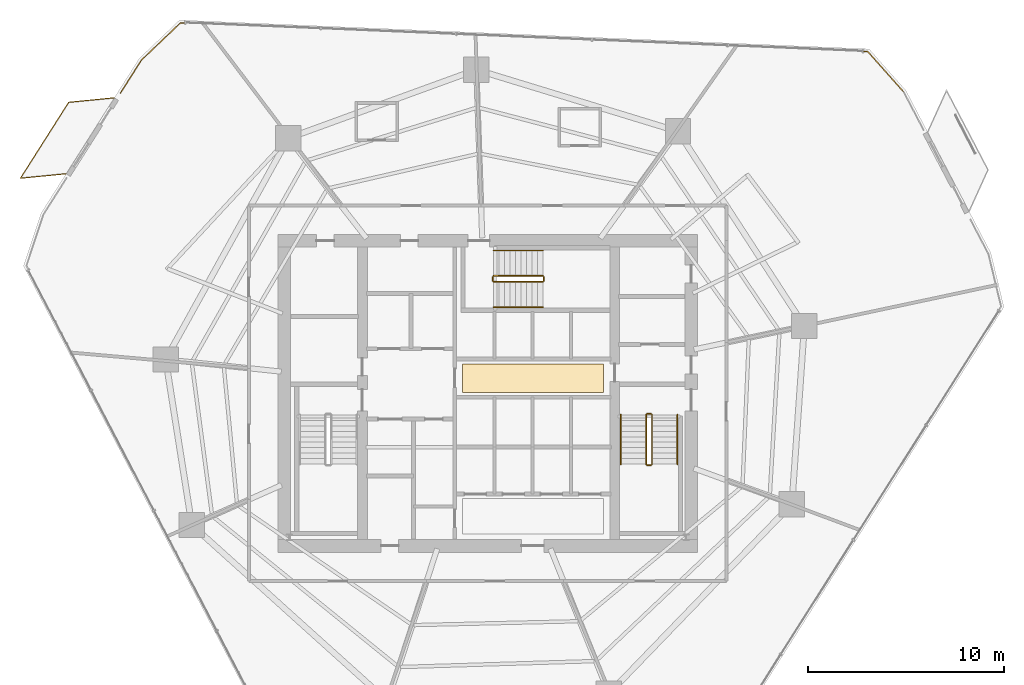
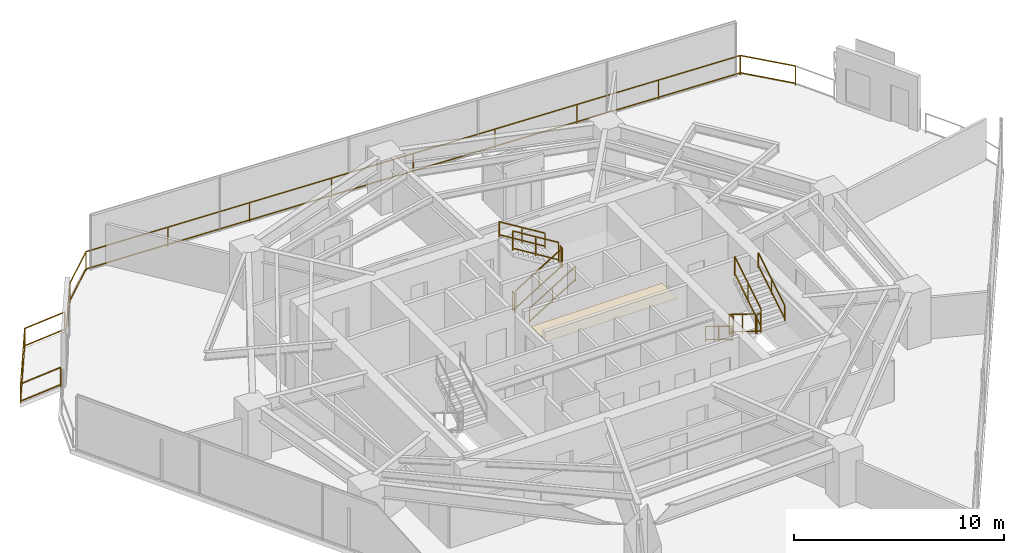
# One storey, part 29 of 30: 14 railings, 1 covering.
"""IFC4 building model written with IfcOpenShell, lengths in metres."""

from ifc_helpers import new_model, si_unit, direction, frame, origin, origin_2d, place, context, subcontext, project, spatial, rectangle, extrude, material, layer, layer_set, type_object, element, save


model = new_model("IFC4")

# Units and contexts
model_context = context("Model", 3, precision=1e-05, world=origin(), true_north=direction((0.0, 1.0)))
body_context = subcontext(model_context, "Body", "Model", "MODEL_VIEW")
ifc_project = project(units=[si_unit("LENGTHUNIT", "METRE"), si_unit("AREAUNIT", "SQUARE_METRE"), si_unit("VOLUMEUNIT", "CUBIC_METRE"), si_unit("PLANEANGLEUNIT", "RADIAN"), si_unit("MASSUNIT", "GRAM", prefix="KILO")], contexts=[model_context])

# Site, building, storey
site_placement = place(None, origin())
site = spatial("IfcSite", under=ifc_project, at=site_placement, CompositionType="ELEMENT")
building_placement = place(site_placement, origin())
building = spatial("IfcBuilding", under=site, at=building_placement, Name="Qarnah Convention Tower", CompositionType="ELEMENT")
storey_placement = place(building_placement, frame((0.0, 0.0, 58.050048828125)))
storey = spatial("IfcBuildingStorey", under=building, at=storey_placement, Name="L14", CompositionType="ELEMENT", Elevation=58.050048828125)

# Covering
ifc_material_1 = material(Name="Mineral fibre acoustic ceiling")
ifc_layer = layer(ifc_material_1, 0.02001953125)
ifc_layer_set = layer_set([ifc_layer], Name="Mineral fibre acoustic ceiling")
covering_type = type_object("IfcCoveringType", Name="COV-CEIL-20", PredefinedType="CEILING", material=ifc_layer_set)
covering_placement = place(storey_placement, frame((39.52001953125, 27.179931640625, 2.2900390625), z_axis=(0.0, 0.0, 1.0), x_axis=(1.0, 0.0, 0.0)))
element("IfcCovering", 1, at=covering_placement, inside=storey, type_object=covering_type, Name="L14 lift lobby acoustic ceiling", PredefinedType="CEILING", context=body_context, shape_type="SweptSolid", body=[
    extrude(rectangle(XDim=7.199951171875, YDim=1.449951171875, at=origin_2d()), origin(), (0.0, 0.0, 1.0), 0.02001953125),
])

# Railings
ifc_material_2 = material(Name="Black anodised aluminium", Category="aluminium")
railing_type_1 = type_object("IfcRailingType", Name="RL-EXT-GUARD-1150", PredefinedType="GUARDRAIL", material=ifc_material_2)
railing_1_placement = place(storey_placement, frame((18.43896484375, 41.759033203125, 0.0)))
element("IfcRailing", 2, at=railing_1_placement, inside=storey, type_object=railing_type_1, Name="L14 slab-edge perimeter safety guard 03", PredefinedType="GUARDRAIL", context=body_context, shape_type="SweptSolid", body=[
    extrude(rectangle(XDim=0.048095703125, YDim=0.048095703125, at=origin_2d()), frame((0.0, 0.0, 1.1259765625), z_axis=(0.535966320938, 0.844239363463, 0.0), x_axis=(-0.844239363463, 0.535966320938, 0.0)), (0.0, 0.0, 1.0), 1.9814453125),
    extrude(rectangle(XDim=0.048095703125, YDim=0.048095703125, at=origin_2d()), frame((0.0, 0.0, 0.1201171875), z_axis=(0.535966320938, 0.844239363463, 0.0), x_axis=(-0.844239363463, 0.535966320938, 0.0)), (0.0, 0.0, 1.0), 1.9814453125),
    extrude(rectangle(XDim=0.048095703125, YDim=0.048095703125, at=origin_2d()), frame((1.06201171875, 1.6728515625, 1.1259765625), z_axis=(0.724012057244, 0.689787315747, 0.0), x_axis=(-0.689787315747, 0.724012057244, 0.0)), (0.0, 0.0, 1.0), 2.767822265625),
    extrude(rectangle(XDim=0.048095703125, YDim=0.048095703125, at=origin_2d()), frame((1.06201171875, 1.6728515625, 0.1201171875), z_axis=(0.724012057244, 0.689787315747, 0.0), x_axis=(-0.689787315747, 0.724012057244, 0.0)), (0.0, 0.0, 1.0), 2.767822265625),
    extrude(rectangle(XDim=0.048095703125, YDim=0.048095703125, at=origin_2d()), frame((3.06591796875, 3.58203125, 1.1259765625), z_axis=(0.9991228369, -0.041875491454, 0.0), x_axis=(0.041875491454, 0.9991228369, 0.0)), (0.0, 0.0, 1.0), 35.15576171875),
    extrude(rectangle(XDim=0.048095703125, YDim=0.048095703125, at=origin_2d()), frame((3.06591796875, 3.58203125, 0.1201171875), z_axis=(0.9991228369, -0.041875491454, 0.0), x_axis=(0.041875491454, 0.9991228369, 0.0)), (0.0, 0.0, 1.0), 35.15576171875),
    extrude(rectangle(XDim=0.048095703125, YDim=0.048095703125, at=origin_2d()), frame((38.19091796875, 2.10986328125, 1.1259765625), z_axis=(0.664018895896, -0.747715792191, 0.0), x_axis=(0.747715792191, 0.664018895896, 0.0)), (0.0, 0.0, 1.0), 2.768310546875),
    extrude(rectangle(XDim=0.048095703125, YDim=0.048095703125, at=origin_2d()), frame((38.19091796875, 2.10986328125, 0.1201171875), z_axis=(0.664018895896, -0.747715792191, 0.0), x_axis=(0.747715792191, 0.664018895896, 0.0)), (0.0, 0.0, 1.0), 2.768310546875),
    extrude(rectangle(XDim=0.0419921875, YDim=0.0419921875, at=origin_2d()), origin(), (0.0, 0.0, 1.0), 1.101806640625),
    extrude(rectangle(XDim=0.0419921875, YDim=0.0419921875, at=origin_2d()), frame((1.06201171875, 1.6728515625, 0.0)), (0.0, 0.0, 1.0), 1.101806640625),
    extrude(rectangle(XDim=0.0419921875, YDim=0.0419921875, at=origin_2d()), frame((3.06591796875, 3.58203125, 0.0)), (0.0, 0.0, 1.0), 1.101806640625),
    extrude(rectangle(XDim=0.0419921875, YDim=0.0419921875, at=origin_2d()), frame((7.45654296875, 3.39794921875, 0.0)), (0.0, 0.0, 1.0), 1.101806640625),
    extrude(rectangle(XDim=0.0419921875, YDim=0.0419921875, at=origin_2d()), frame((11.84716796875, 3.2138671875, 0.0)), (0.0, 0.0, 1.0), 1.101806640625),
    extrude(rectangle(XDim=0.0419921875, YDim=0.0419921875, at=origin_2d()), frame((16.23779296875, 3.030029296875, 0.0)), (0.0, 0.0, 1.0), 1.101806640625),
    extrude(rectangle(XDim=0.0419921875, YDim=0.0419921875, at=origin_2d()), frame((20.62841796875, 2.845947265625, 0.0)), (0.0, 0.0, 1.0), 1.101806640625),
    extrude(rectangle(XDim=0.0419921875, YDim=0.0419921875, at=origin_2d()), frame((25.01904296875, 2.661865234375, 0.0)), (0.0, 0.0, 1.0), 1.101806640625),
    extrude(rectangle(XDim=0.0419921875, YDim=0.0419921875, at=origin_2d()), frame((29.40966796875, 2.47802734375, 0.0)), (0.0, 0.0, 1.0), 1.101806640625),
    extrude(rectangle(XDim=0.0419921875, YDim=0.0419921875, at=origin_2d()), frame((33.80029296875, 2.2939453125, 0.0)), (0.0, 0.0, 1.0), 1.101806640625),
    extrude(rectangle(XDim=0.0419921875, YDim=0.0419921875, at=origin_2d()), frame((38.19091796875, 2.10986328125, 0.0)), (0.0, 0.0, 1.0), 1.101806640625),
    extrude(rectangle(XDim=0.0419921875, YDim=0.0419921875, at=origin_2d()), frame((40.029052734375, 0.0400390625, 0.0)), (0.0, 0.0, 1.0), 1.101806640625),
])
railing_2_placement = place(storey_placement, frame((15.653076171875, 37.6220703125, 0.0)))
element("IfcRailing", 3, at=railing_2_placement, inside=storey, type_object=railing_type_1, Name="L14 balcony safety guard BAL-L14-C2", PredefinedType="GUARDRAIL", context=body_context, shape_type="SweptSolid", body=[
    extrude(rectangle(XDim=0.048095703125, YDim=0.048095703125, at=origin_2d()), frame((0.0, 0.0, 1.1259765625), z_axis=(-0.995229911233, -0.097557284642, 0.0), x_axis=(0.097557284642, -0.995229911233, 0.0)), (0.0, 0.0, 1.0), 2.347412109375),
    extrude(rectangle(XDim=0.048095703125, YDim=0.048095703125, at=origin_2d()), frame((0.0, 0.0, 0.1201171875), z_axis=(-0.995229911233, -0.097557284642, 0.0), x_axis=(0.097557284642, -0.995229911233, 0.0)), (0.0, 0.0, 1.0), 2.347412109375),
    extrude(rectangle(XDim=0.048095703125, YDim=0.048095703125, at=origin_2d()), frame((-2.336181640625, -0.22900390625, 1.1259765625), z_axis=(0.535978711467, 0.844231497194, 0.0), x_axis=(-0.844231497194, 0.535978711467, 0.0)), (0.0, 0.0, 1.0), 4.59912109375),
    extrude(rectangle(XDim=0.048095703125, YDim=0.048095703125, at=origin_2d()), frame((-2.336181640625, -0.22900390625, 0.1201171875), z_axis=(0.535978711467, 0.844231497194, 0.0), x_axis=(-0.844231497194, 0.535978711467, 0.0)), (0.0, 0.0, 1.0), 4.59912109375),
    extrude(rectangle(XDim=0.048095703125, YDim=0.048095703125, at=origin_2d()), frame((0.12890625, 3.65380859375, 1.1259765625), z_axis=(0.995178289539, 0.098082475652, 0.0), x_axis=(-0.098082475652, 0.995178289539, 0.0)), (0.0, 0.0, 1.0), 2.34716796875),
    extrude(rectangle(XDim=0.048095703125, YDim=0.048095703125, at=origin_2d()), frame((0.12890625, 3.65380859375, 0.1201171875), z_axis=(0.995178289539, 0.098082475652, 0.0), x_axis=(-0.098082475652, 0.995178289539, 0.0)), (0.0, 0.0, 1.0), 2.34716796875),
    extrude(rectangle(XDim=0.0419921875, YDim=0.0419921875, at=origin_2d()), origin(), (0.0, 0.0, 1.0), 1.101806640625),
    extrude(rectangle(XDim=0.0419921875, YDim=0.0419921875, at=origin_2d()), frame((-2.336181640625, -0.22900390625, 0.0)), (0.0, 0.0, 1.0), 1.101806640625),
    extrude(rectangle(XDim=0.0419921875, YDim=0.0419921875, at=origin_2d()), frame((-1.103515625, 1.71240234375, 0.0)), (0.0, 0.0, 1.0), 1.101806640625),
    extrude(rectangle(XDim=0.0419921875, YDim=0.0419921875, at=origin_2d()), frame((0.12890625, 3.65380859375, 0.0)), (0.0, 0.0, 1.0), 1.101806640625),
    extrude(rectangle(XDim=0.0419921875, YDim=0.0419921875, at=origin_2d()), frame((2.46484375, 3.884033203125, 0.0)), (0.0, 0.0, 1.0), 1.101806640625),
])
ifc_material_3 = material(Name="Structural steel S355JR", Category="steel")
railing_type_2 = type_object("IfcRailingType", Name="RL-STAIR-GUARD-1150", PredefinedType="GUARDRAIL", material=ifc_material_3)
railing_3_placement = place(storey_placement, frame((45.300048828125, 25.300048828125, 0.17236328125)))
element("IfcRailing", 4, at=railing_3_placement, inside=storey, type_object=railing_type_2, Name="L14 ST-2 stair guard 1", PredefinedType="GUARDRAIL", context=body_context, shape_type="SweptSolid", body=[
    extrude(rectangle(XDim=0.048095703125, YDim=0.048095703125, at=origin_2d()), frame((0.0, 0.0, 1.1259765625), z_axis=(0.0, -0.851400495292, 0.524516154772), x_axis=(1.0, 0.0, 0.0)), (0.0, 0.0, 1.0), 2.9599609375),
    extrude(rectangle(XDim=0.048095703125, YDim=0.048095703125, at=origin_2d()), frame((0.0, 0.0, 0.1201171875), z_axis=(0.0, -0.851400495292, 0.524516154772), x_axis=(1.0, 0.0, 0.0)), (0.0, 0.0, 1.0), 2.9599609375),
    extrude(rectangle(XDim=0.0419921875, YDim=0.0419921875, at=origin_2d()), origin(), (0.0, 0.0, 1.0), 1.101806640625),
    extrude(rectangle(XDim=0.0419921875, YDim=0.0419921875, at=origin_2d()), frame((0.0, -1.260009765625, 0.7763671875)), (0.0, 0.0, 1.0), 1.101806640625),
    extrude(rectangle(XDim=0.0419921875, YDim=0.0419921875, at=origin_2d()), frame((0.0, -2.52001953125, 1.552490234375)), (0.0, 0.0, 1.0), 1.101806640625),
])
railing_4_placement = place(storey_placement, frame((45.35009765625, 22.72998046875, 1.724853515625)))
element("IfcRailing", 5, at=railing_4_placement, inside=storey, type_object=railing_type_2, Name="L14 ST-2 stair guard 2", PredefinedType="GUARDRAIL", context=body_context, shape_type="SweptSolid", body=[
    extrude(rectangle(XDim=0.048095703125, YDim=0.048095703125, at=origin_2d()), frame((0.0, 0.0, 1.1259765625), z_axis=(1.0, 0.0, 0.0), x_axis=(0.0, 1.0, 0.0)), (0.0, 0.0, 1.0), 0.199951171875),
    extrude(rectangle(XDim=0.048095703125, YDim=0.048095703125, at=origin_2d()), frame((0.0, 0.0, 0.1201171875), z_axis=(1.0, 0.0, 0.0), x_axis=(0.0, 1.0, 0.0)), (0.0, 0.0, 1.0), 0.199951171875),
    extrude(rectangle(XDim=0.0419921875, YDim=0.0419921875, at=origin_2d()), origin(), (0.0, 0.0, 1.0), 1.101806640625),
    extrude(rectangle(XDim=0.0419921875, YDim=0.0419921875, at=origin_2d()), frame((0.199951171875, 0.0, 0.0)), (0.0, 0.0, 1.0), 1.101806640625),
])
railing_5_placement = place(storey_placement, frame((45.60009765625, 22.780029296875, 1.8974609375)))
element("IfcRailing", 6, at=railing_5_placement, inside=storey, type_object=railing_type_2, Name="L14 ST-2 stair guard 3", PredefinedType="GUARDRAIL", context=body_context, shape_type="SweptSolid", body=[
    extrude(rectangle(XDim=0.048095703125, YDim=0.048095703125, at=origin_2d()), frame((0.0, 0.0, 1.1259765625), z_axis=(0.0, 0.851400495292, 0.524516154772), x_axis=(-1.0, 0.0, 0.0)), (0.0, 0.0, 1.0), 2.9599609375),
    extrude(rectangle(XDim=0.048095703125, YDim=0.048095703125, at=origin_2d()), frame((0.0, 0.0, 0.1201171875), z_axis=(0.0, 0.851400495292, 0.524516154772), x_axis=(-1.0, 0.0, 0.0)), (0.0, 0.0, 1.0), 2.9599609375),
    extrude(rectangle(XDim=0.0419921875, YDim=0.0419921875, at=origin_2d()), origin(), (0.0, 0.0, 1.0), 1.101806640625),
    extrude(rectangle(XDim=0.0419921875, YDim=0.0419921875, at=origin_2d()), frame((0.0, 1.260009765625, 0.7763671875)), (0.0, 0.0, 1.0), 1.101806640625),
    extrude(rectangle(XDim=0.0419921875, YDim=0.0419921875, at=origin_2d()), frame((0.0, 2.52001953125, 1.552490234375)), (0.0, 0.0, 1.0), 1.101806640625),
])
railing_6_placement = place(storey_placement, frame((45.35009765625, 25.35009765625, 0.0)))
element("IfcRailing", 7, at=railing_6_placement, inside=storey, type_object=railing_type_2, Name="L14 ST-2 stair guard 4", PredefinedType="GUARDRAIL", context=body_context, shape_type="SweptSolid", body=[
    extrude(rectangle(XDim=0.048095703125, YDim=0.048095703125, at=origin_2d()), frame((0.0, 0.0, 1.1259765625), z_axis=(1.0, 0.0, 0.0), x_axis=(0.0, 1.0, 0.0)), (0.0, 0.0, 1.0), 0.199951171875),
    extrude(rectangle(XDim=0.048095703125, YDim=0.048095703125, at=origin_2d()), frame((0.0, 0.0, 0.1201171875), z_axis=(1.0, 0.0, 0.0), x_axis=(0.0, 1.0, 0.0)), (0.0, 0.0, 1.0), 0.199951171875),
    extrude(rectangle(XDim=0.0419921875, YDim=0.0419921875, at=origin_2d()), origin(), (0.0, 0.0, 1.0), 1.101806640625),
    extrude(rectangle(XDim=0.0419921875, YDim=0.0419921875, at=origin_2d()), frame((0.199951171875, 0.0, 0.0)), (0.0, 0.0, 1.0), 1.101806640625),
])
railing_7_placement = place(storey_placement, frame((37.5, 32.10009765625, 0.17236328125)))
element("IfcRailing", 8, at=railing_7_placement, inside=storey, type_object=railing_type_2, Name="L14 ST-3 stair guard 1", PredefinedType="GUARDRAIL", context=body_context, shape_type="SweptSolid", body=[
    extrude(rectangle(XDim=0.048095703125, YDim=0.048095703125, at=origin_2d()), frame((0.0, 0.0, 1.1259765625), z_axis=(0.851400495292, 0.0, 0.524516154772), x_axis=(0.0, 1.0, 0.0)), (0.0, 0.0, 1.0), 2.9599609375),
    extrude(rectangle(XDim=0.048095703125, YDim=0.048095703125, at=origin_2d()), frame((0.0, 0.0, 0.1201171875), z_axis=(0.851400495292, 0.0, 0.524516154772), x_axis=(0.0, 1.0, 0.0)), (0.0, 0.0, 1.0), 2.9599609375),
    extrude(rectangle(XDim=0.0419921875, YDim=0.0419921875, at=origin_2d()), origin(), (0.0, 0.0, 1.0), 1.101806640625),
    extrude(rectangle(XDim=0.0419921875, YDim=0.0419921875, at=origin_2d()), frame((1.260009765625, 0.0, 0.7763671875)), (0.0, 0.0, 1.0), 1.101806640625),
    extrude(rectangle(XDim=0.0419921875, YDim=0.0419921875, at=origin_2d()), frame((2.52001953125, 0.0, 1.552490234375)), (0.0, 0.0, 1.0), 1.101806640625),
])
railing_8_placement = place(storey_placement, frame((40.070068359375, 32.14990234375, 1.724853515625)))
element("IfcRailing", 9, at=railing_8_placement, inside=storey, type_object=railing_type_2, Name="L14 ST-3 stair guard 2", PredefinedType="GUARDRAIL", context=body_context, shape_type="SweptSolid", body=[
    extrude(rectangle(XDim=0.048095703125, YDim=0.048095703125, at=origin_2d()), frame((0.0, 0.0, 1.1259765625), z_axis=(0.0, 1.0, 0.0), x_axis=(-1.0, 0.0, 0.0)), (0.0, 0.0, 1.0), 0.2001953125),
    extrude(rectangle(XDim=0.048095703125, YDim=0.048095703125, at=origin_2d()), frame((0.0, 0.0, 0.1201171875), z_axis=(0.0, 1.0, 0.0), x_axis=(-1.0, 0.0, 0.0)), (0.0, 0.0, 1.0), 0.2001953125),
    extrude(rectangle(XDim=0.0419921875, YDim=0.0419921875, at=origin_2d()), origin(), (0.0, 0.0, 1.0), 1.101806640625),
    extrude(rectangle(XDim=0.0419921875, YDim=0.0419921875, at=origin_2d()), frame((0.0, 0.2001953125, 0.0)), (0.0, 0.0, 1.0), 1.101806640625),
])
railing_9_placement = place(storey_placement, frame((40.02001953125, 32.39990234375, 1.8974609375)))
element("IfcRailing", 10, at=railing_9_placement, inside=storey, type_object=railing_type_2, Name="L14 ST-3 stair guard 3", PredefinedType="GUARDRAIL", context=body_context, shape_type="SweptSolid", body=[
    extrude(rectangle(XDim=0.048095703125, YDim=0.048095703125, at=origin_2d()), frame((0.0, 0.0, 1.1259765625), z_axis=(-0.851400495292, 0.0, 0.524516154772), x_axis=(0.0, -1.0, 0.0)), (0.0, 0.0, 1.0), 2.9599609375),
    extrude(rectangle(XDim=0.048095703125, YDim=0.048095703125, at=origin_2d()), frame((0.0, 0.0, 0.1201171875), z_axis=(-0.851400495292, 0.0, 0.524516154772), x_axis=(0.0, -1.0, 0.0)), (0.0, 0.0, 1.0), 2.9599609375),
    extrude(rectangle(XDim=0.0419921875, YDim=0.0419921875, at=origin_2d()), origin(), (0.0, 0.0, 1.0), 1.101806640625),
    extrude(rectangle(XDim=0.0419921875, YDim=0.0419921875, at=origin_2d()), frame((-1.260009765625, 0.0, 0.7763671875)), (0.0, 0.0, 1.0), 1.101806640625),
    extrude(rectangle(XDim=0.0419921875, YDim=0.0419921875, at=origin_2d()), frame((-2.52001953125, 0.0, 1.552490234375)), (0.0, 0.0, 1.0), 1.101806640625),
])
railing_10_placement = place(storey_placement, frame((37.449951171875, 32.14990234375, 0.0)))
element("IfcRailing", 11, at=railing_10_placement, inside=storey, type_object=railing_type_2, Name="L14 ST-3 stair guard 4", PredefinedType="GUARDRAIL", context=body_context, shape_type="SweptSolid", body=[
    extrude(rectangle(XDim=0.048095703125, YDim=0.048095703125, at=origin_2d()), frame((0.0, 0.0, 1.1259765625), z_axis=(0.0, 1.0, 0.0), x_axis=(-1.0, 0.0, 0.0)), (0.0, 0.0, 1.0), 0.2001953125),
    extrude(rectangle(XDim=0.048095703125, YDim=0.048095703125, at=origin_2d()), frame((0.0, 0.0, 0.1201171875), z_axis=(0.0, 1.0, 0.0), x_axis=(-1.0, 0.0, 0.0)), (0.0, 0.0, 1.0), 0.2001953125),
    extrude(rectangle(XDim=0.0419921875, YDim=0.0419921875, at=origin_2d()), origin(), (0.0, 0.0, 1.0), 1.101806640625),
    extrude(rectangle(XDim=0.0419921875, YDim=0.0419921875, at=origin_2d()), frame((0.0, 0.2001953125, 0.0)), (0.0, 0.0, 1.0), 1.101806640625),
])
railing_type_3 = type_object("IfcRailingType", Name="RL-STAIR-HAND-900", PredefinedType="HANDRAIL", material=ifc_material_3)
railing_11_placement = place(storey_placement, frame((44.0, 25.300048828125, 0.17236328125)))
element("IfcRailing", 12, at=railing_11_placement, inside=storey, type_object=railing_type_3, Name="L14 ST-2 stair handrail 1", PredefinedType="HANDRAIL", context=body_context, shape_type="SweptSolid", body=[
    extrude(rectangle(XDim=0.048095703125, YDim=0.048095703125, at=origin_2d()), frame((0.0, 0.0, 0.8759765625), z_axis=(0.0, -0.851400495292, 0.524516154772), x_axis=(1.0, 0.0, 0.0)), (0.0, 0.0, 1.0), 2.9599609375),
    extrude(rectangle(XDim=0.048095703125, YDim=0.048095703125, at=origin_2d()), frame((0.0, 0.0, 0.1201171875), z_axis=(0.0, -0.851400495292, 0.524516154772), x_axis=(1.0, 0.0, 0.0)), (0.0, 0.0, 1.0), 2.9599609375),
    extrude(rectangle(XDim=0.0419921875, YDim=0.0419921875, at=origin_2d()), origin(), (0.0, 0.0, 1.0), 0.851806640625),
    extrude(rectangle(XDim=0.0419921875, YDim=0.0419921875, at=origin_2d()), frame((0.0, -1.260009765625, 0.7763671875)), (0.0, 0.0, 1.0), 0.851806640625),
    extrude(rectangle(XDim=0.0419921875, YDim=0.0419921875, at=origin_2d()), frame((0.0, -2.52001953125, 1.552490234375)), (0.0, 0.0, 1.0), 0.851806640625),
])
railing_12_placement = place(storey_placement, frame((46.89990234375, 22.780029296875, 1.8974609375)))
element("IfcRailing", 13, at=railing_12_placement, inside=storey, type_object=railing_type_3, Name="L14 ST-2 stair handrail 2", PredefinedType="HANDRAIL", context=body_context, shape_type="SweptSolid", body=[
    extrude(rectangle(XDim=0.048095703125, YDim=0.048095703125, at=origin_2d()), frame((0.0, 0.0, 0.8759765625), z_axis=(0.0, 0.851400495292, 0.524516154772), x_axis=(-1.0, 0.0, 0.0)), (0.0, 0.0, 1.0), 2.9599609375),
    extrude(rectangle(XDim=0.048095703125, YDim=0.048095703125, at=origin_2d()), frame((0.0, 0.0, 0.1201171875), z_axis=(0.0, 0.851400495292, 0.524516154772), x_axis=(-1.0, 0.0, 0.0)), (0.0, 0.0, 1.0), 2.9599609375),
    extrude(rectangle(XDim=0.0419921875, YDim=0.0419921875, at=origin_2d()), origin(), (0.0, 0.0, 1.0), 0.851806640625),
    extrude(rectangle(XDim=0.0419921875, YDim=0.0419921875, at=origin_2d()), frame((0.0, 1.260009765625, 0.7763671875)), (0.0, 0.0, 1.0), 0.851806640625),
    extrude(rectangle(XDim=0.0419921875, YDim=0.0419921875, at=origin_2d()), frame((0.0, 2.52001953125, 1.552490234375)), (0.0, 0.0, 1.0), 0.851806640625),
])
railing_13_placement = place(storey_placement, frame((37.5, 30.800048828125, 0.17236328125)))
element("IfcRailing", 14, at=railing_13_placement, inside=storey, type_object=railing_type_3, Name="L14 ST-3 stair handrail 1", PredefinedType="HANDRAIL", context=body_context, shape_type="SweptSolid", body=[
    extrude(rectangle(XDim=0.048095703125, YDim=0.048095703125, at=origin_2d()), frame((0.0, 0.0, 0.8759765625), z_axis=(0.851400495292, 0.0, 0.524516154772), x_axis=(0.0, 1.0, 0.0)), (0.0, 0.0, 1.0), 2.9599609375),
    extrude(rectangle(XDim=0.048095703125, YDim=0.048095703125, at=origin_2d()), frame((0.0, 0.0, 0.1201171875), z_axis=(0.851400495292, 0.0, 0.524516154772), x_axis=(0.0, 1.0, 0.0)), (0.0, 0.0, 1.0), 2.9599609375),
    extrude(rectangle(XDim=0.0419921875, YDim=0.0419921875, at=origin_2d()), origin(), (0.0, 0.0, 1.0), 0.851806640625),
    extrude(rectangle(XDim=0.0419921875, YDim=0.0419921875, at=origin_2d()), frame((1.260009765625, 0.0, 0.7763671875)), (0.0, 0.0, 1.0), 0.851806640625),
    extrude(rectangle(XDim=0.0419921875, YDim=0.0419921875, at=origin_2d()), frame((2.52001953125, 0.0, 1.552490234375)), (0.0, 0.0, 1.0), 0.851806640625),
])
railing_14_placement = place(storey_placement, frame((40.02001953125, 33.699951171875, 1.8974609375)))
element("IfcRailing", 15, at=railing_14_placement, inside=storey, type_object=railing_type_3, Name="L14 ST-3 stair handrail 2", PredefinedType="HANDRAIL", context=body_context, shape_type="SweptSolid", body=[
    extrude(rectangle(XDim=0.048095703125, YDim=0.048095703125, at=origin_2d()), frame((0.0, 0.0, 0.8759765625), z_axis=(-0.851400495292, 0.0, 0.524516154772), x_axis=(0.0, -1.0, 0.0)), (0.0, 0.0, 1.0), 2.9599609375),
    extrude(rectangle(XDim=0.048095703125, YDim=0.048095703125, at=origin_2d()), frame((0.0, 0.0, 0.1201171875), z_axis=(-0.851400495292, 0.0, 0.524516154772), x_axis=(0.0, -1.0, 0.0)), (0.0, 0.0, 1.0), 2.9599609375),
    extrude(rectangle(XDim=0.0419921875, YDim=0.0419921875, at=origin_2d()), origin(), (0.0, 0.0, 1.0), 0.851806640625),
    extrude(rectangle(XDim=0.0419921875, YDim=0.0419921875, at=origin_2d()), frame((-1.260009765625, 0.0, 0.7763671875)), (0.0, 0.0, 1.0), 0.851806640625),
    extrude(rectangle(XDim=0.0419921875, YDim=0.0419921875, at=origin_2d()), frame((-2.52001953125, 0.0, 1.552490234375)), (0.0, 0.0, 1.0), 0.851806640625),
])

save(model, "model.ifc")
